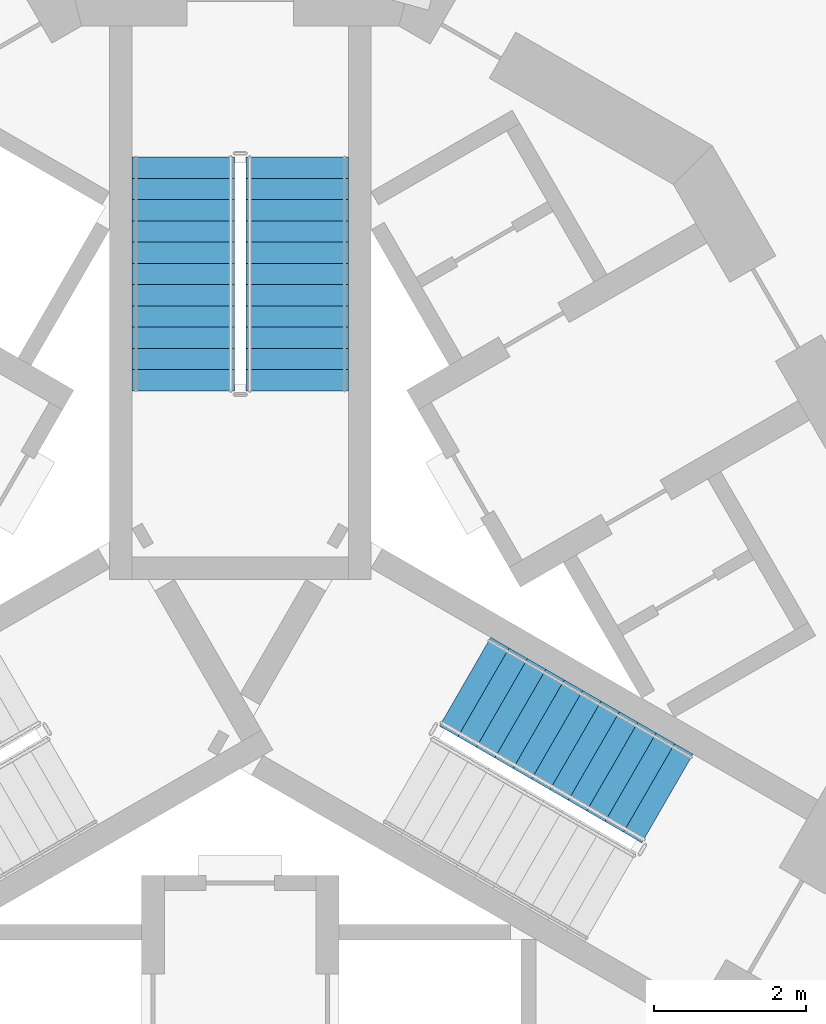
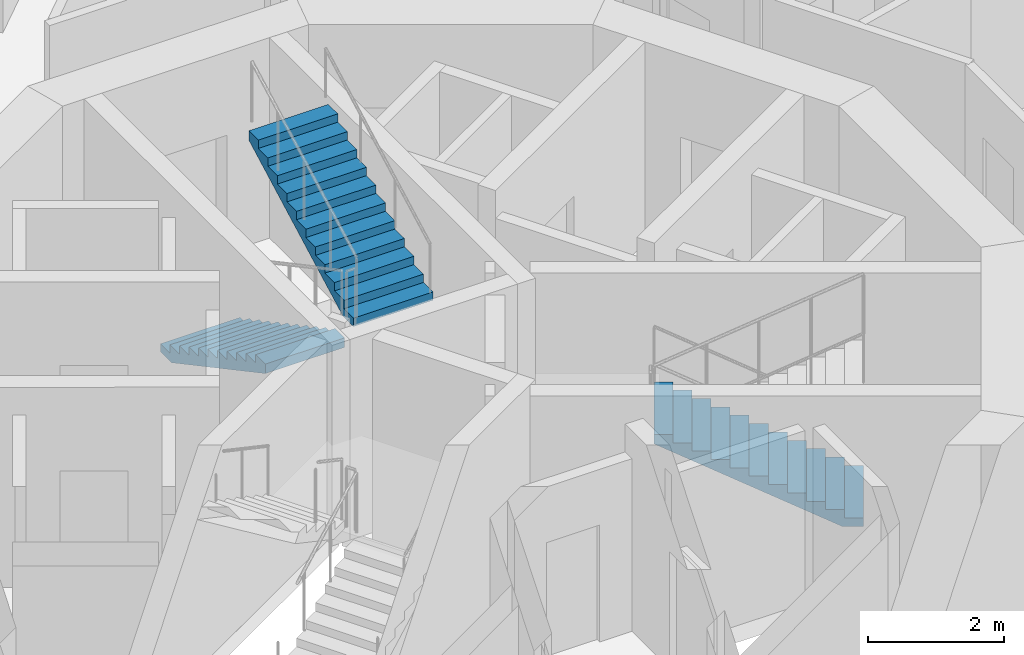
# One storey, part 9 of 15: 3 stair flights, 2 elements without a shape of their own.
"""IFC4 building model written with IfcOpenShell, lengths in metres."""

from ifc_helpers import new_model, si_unit, direction, frame, origin, place, context, subcontext, project, spatial, polyline, outline, extrude, material, type_object, element, aggregate, save


model = new_model("IFC4")

# Units and contexts
model_context = context("Model", 3, precision=1e-05, world=origin(), true_north=direction((0.0, 1.0)))
body_context = subcontext(model_context, "Body", "Model", "MODEL_VIEW")
ifc_project = project(units=[si_unit("LENGTHUNIT", "METRE"), si_unit("AREAUNIT", "SQUARE_METRE"), si_unit("VOLUMEUNIT", "CUBIC_METRE"), si_unit("PLANEANGLEUNIT", "RADIAN"), si_unit("MASSUNIT", "GRAM", prefix="KILO")], contexts=[model_context])

# Site, building, storey
site_placement = place(None, origin())
site = spatial("IfcSite", under=ifc_project, at=site_placement, CompositionType="ELEMENT")
building_placement = place(site_placement, origin())
building = spatial("IfcBuilding", under=site, at=building_placement, Name="Trine Commons Tower", CompositionType="ELEMENT")
storey_placement = place(building_placement, frame((0.0, 0.0, 263.699951171875)))
storey = spatial("IfcBuildingStorey", under=building, at=storey_placement, Name="L69", CompositionType="ELEMENT", Elevation=263.699951171875)

# Stair, stair flights
ifc_material = material(Name="Concrete C50/60", Category="concrete")
stair_type = type_object("IfcStairType", Name="Exit stair, dog-leg, 24 risers of 150 mm", PredefinedType="HALF_TURN_STAIR", material=ifc_material)
stair_1_placement = place(storey_placement, origin())
stair_1 = element("IfcStair", 1, at=stair_1_placement, inside=storey, type_object=stair_type, Name="L69 Exit stair ST1C", PredefinedType="HALF_TURN_STAIR")
stair_flight_type = type_object("IfcStairFlightType", Name="Stair flight, 1350 wide, 12 risers of 150 mm", PredefinedType="STRAIGHT", material=ifc_material)
stair_flight_1_placement = place(storey_placement, frame((79.25, 68.570556640625, 0.0), z_axis=(0.0, 0.0, 1.0), x_axis=(0.0, -1.0, 0.0)))
stair_flight_1 = element("IfcStairFlight", 2, at=stair_flight_1_placement, type_object=stair_flight_type, Name="ST1C flight 1", NumberOfRisers=12, NumberOfTreads=11, PredefinedType="STRAIGHT", RiserHeight=0.15, TreadLength=0.28, context=body_context, shape_type="SweptSolid", body=[
    extrude(outline(polyline([(0.0, 0.0), (0.0, 0.14990234375), (0.280029296875, 0.14990234375), (0.280029296875, 0.300048828125), (0.56005859375, 0.300048828125), (0.56005859375, 0.449951171875), (0.840087890625, 0.449951171875), (0.840087890625, 0.60009765625), (1.1201171875, 0.60009765625), (1.1201171875, 0.75), (1.39990234375, 0.75), (1.39990234375, 0.89990234375), (1.679931640625, 0.89990234375), (1.679931640625, 1.050048828125), (1.9599609375, 1.050048828125), (1.9599609375, 1.199951171875), (2.239990234375, 1.199951171875), (2.239990234375, 1.35009765625), (2.52001953125, 1.35009765625), (2.52001953125, 1.5), (2.800048828125, 1.5), (2.800048828125, 1.64990234375), (3.080078125, 1.64990234375), (3.080078125, 1.800048828125), (3.080078125, 1.47998046875), (0.3173828125, 0.0), (0.0, 0.0)])), frame((0.0, 0.675048828125, 0.0), z_axis=(0.0, -1.0, 0.0), x_axis=(1.0, 0.0, 0.0)), (0.0, 0.0, 1.0), 1.35009765625),
])
stair_flight_2_placement = place(storey_placement, frame((80.75, 65.490478515625, 1.800048828125), z_axis=(0.0, 0.0, 1.0), x_axis=(0.0, 1.0, 0.0)))
stair_flight_2 = element("IfcStairFlight", 3, at=stair_flight_2_placement, type_object=stair_flight_type, Name="ST1C flight 2", NumberOfRisers=12, NumberOfTreads=11, PredefinedType="STRAIGHT", RiserHeight=0.15, TreadLength=0.28, context=body_context, shape_type="SweptSolid", body=[
    extrude(outline(polyline([(0.0, 0.0), (0.0, 0.14990234375), (0.280029296875, 0.14990234375), (0.280029296875, 0.300048828125), (0.56005859375, 0.300048828125), (0.56005859375, 0.449951171875), (0.840087890625, 0.449951171875), (0.840087890625, 0.60009765625), (1.1201171875, 0.60009765625), (1.1201171875, 0.75), (1.39990234375, 0.75), (1.39990234375, 0.89990234375), (1.679931640625, 0.89990234375), (1.679931640625, 1.050048828125), (1.9599609375, 1.050048828125), (1.9599609375, 1.199951171875), (2.239990234375, 1.199951171875), (2.239990234375, 1.35009765625), (2.52001953125, 1.35009765625), (2.52001953125, 1.5), (2.800048828125, 1.5), (2.800048828125, 1.64990234375), (3.080078125, 1.64990234375), (3.080078125, 1.800048828125), (3.080078125, 1.47998046875), (0.3173828125, 0.0), (0.0, 0.0)])), frame((0.0, 0.675048828125, 0.0), z_axis=(0.0, -1.0, 0.0), x_axis=(1.0, 0.0, 0.0)), (0.0, 0.0, 1.0), 1.35009765625),
])
aggregate(stair_1, [stair_flight_1, stair_flight_2])

# Stair, stair flight
stair_2_placement = place(storey_placement, origin())
stair_2 = element("IfcStair", 4, at=stair_2_placement, inside=storey, type_object=stair_type, Name="L69 Exit stair ST3C", PredefinedType="HALF_TURN_STAIR")
stair_flight_3_placement = place(storey_placement, frame((85.63232421875, 60.1142578125, 0.0), z_axis=(0.0, 0.0, 1.0), x_axis=(-0.866025403784, 0.5, 0.0)))
stair_flight_3 = element("IfcStairFlight", 5, at=stair_flight_3_placement, type_object=stair_flight_type, Name="ST3C flight 1", NumberOfRisers=12, NumberOfTreads=11, PredefinedType="STRAIGHT", RiserHeight=0.15, TreadLength=0.28, context=body_context, shape_type="SweptSolid", body=[
    extrude(outline(polyline([(0.0, 0.0), (0.0, 0.14990234375), (0.280029296875, 0.14990234375), (0.280029296875, 0.300048828125), (0.56005859375, 0.300048828125), (0.56005859375, 0.449951171875), (0.840087890625, 0.449951171875), (0.840087890625, 0.60009765625), (1.1201171875, 0.60009765625), (1.1201171875, 0.75), (1.39990234375, 0.75), (1.39990234375, 0.89990234375), (1.679931640625, 0.89990234375), (1.679931640625, 1.050048828125), (1.9599609375, 1.050048828125), (1.9599609375, 1.199951171875), (2.239990234375, 1.199951171875), (2.239990234375, 1.35009765625), (2.52001953125, 1.35009765625), (2.52001953125, 1.5), (2.800048828125, 1.5), (2.800048828125, 1.64990234375), (3.080078125, 1.64990234375), (3.080078125, 1.800048828125), (3.080078125, 1.47998046875), (0.3173828125, 0.0), (0.0, 0.0)])), frame((0.0, 0.675048828125, 0.0), z_axis=(0.0, -1.0, 0.0), x_axis=(1.0, 0.0, 0.0)), (0.0, 0.0, 1.0), 1.35009765625),
])
aggregate(stair_2, [stair_flight_3])

save(model, "model.ifc")
